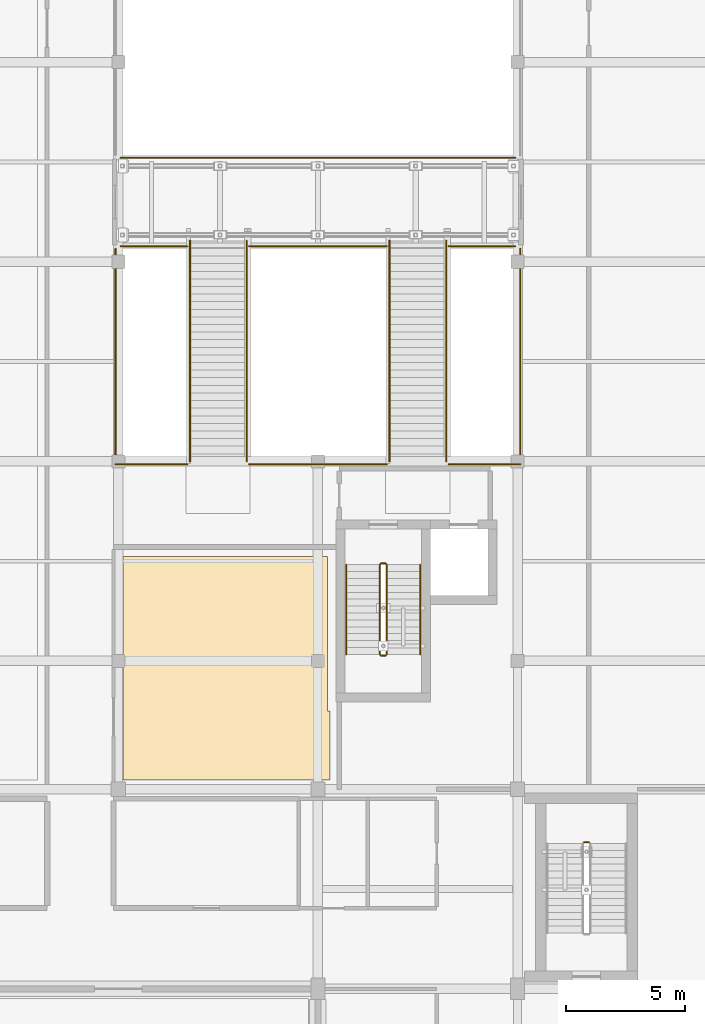
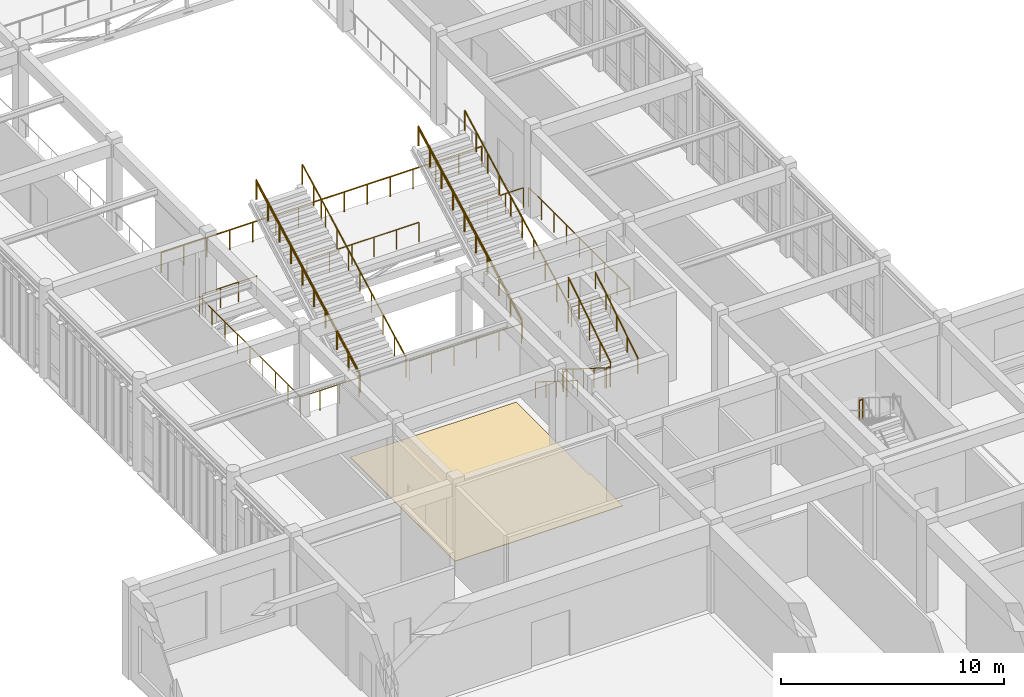
# One storey, part 87 of 93: 22 railings, 1 covering.
"""IFC4 building model written with IfcOpenShell, lengths in metres."""

from ifc_helpers import new_model, si_unit, direction, frame, origin, origin_2d, place, context, subcontext, project, spatial, polyline, circle, outline, extrude, material, layer, layer_set, type_object, element, save


model = new_model("IFC4")

# Units and contexts
model_context = context("Model", 3, precision=1e-05, world=origin(), true_north=direction((0.0, 1.0)))
body_context = subcontext(model_context, "Body", "Model", "MODEL_VIEW")
ifc_project = project(units=[si_unit("LENGTHUNIT", "METRE"), si_unit("AREAUNIT", "SQUARE_METRE"), si_unit("VOLUMEUNIT", "CUBIC_METRE"), si_unit("PLANEANGLEUNIT", "RADIAN"), si_unit("MASSUNIT", "GRAM", prefix="KILO")], contexts=[model_context])

# Site, building, storey
site_placement = place(None, origin())
site = spatial("IfcSite", under=ifc_project, at=site_placement, CompositionType="ELEMENT")
building_placement = place(site_placement, origin())
building = spatial("IfcBuilding", under=site, at=building_placement, Name="Krzemoval Escarpment Law Courts", CompositionType="ELEMENT")
storey_placement = place(building_placement, frame((0.0, 0.0, 10.199951171875)))
storey = spatial("IfcBuildingStorey", under=building, at=storey_placement, Name="L02", CompositionType="ELEMENT", Elevation=10.199951171875)

# Covering
ifc_material_1 = material(Name="Honed Silesian Granite Stone Flooring", Category="masonry")
ifc_layer = layer(ifc_material_1, 0.030029296875)
ifc_layer_set = layer_set([ifc_layer], Name="Honed Silesian Granite Stone Flooring")
covering_type = type_object("IfcCoveringType", Name="COV-FLR-STN30", PredefinedType="FLOORING", material=ifc_layer_set)
covering_placement = place(storey_placement, origin())
element("IfcCovering", 1, at=covering_placement, inside=storey, type_object=covering_type, Name="Stone Floor Finish FLR-L02-28", PredefinedType="FLOORING", context=body_context, shape_type="SweptSolid", body=[
    extrude(outline(polyline([(25.699951171875, 35.800048828125), (17.0, 35.800048828125), (17.0, 45.199951171875), (25.60009765625, 45.199951171875), (25.60009765625, 38.699951171875), (25.699951171875, 38.699951171875), (25.699951171875, 35.800048828125)])), origin(), (0.0, 0.0, 1.0), 0.030029296875),
])

# Railings
ifc_material_2 = material(Name="Stainless Steel Grade 316L and Laminated Safety Glass Guard", Category="steel")
railing_type_1 = type_object("IfcRailingType", Name="RL-BAL-1100", PredefinedType="BALUSTRADE", material=ifc_material_2)
railing_1_placement = place(storey_placement, frame((16.679931640625, 49.080078125, 0.0)))
element("IfcRailing", 2, at=railing_1_placement, inside=storey, type_object=railing_type_1, Name="Atrium Void Balustrade VG-L02-064", PredefinedType="BALUSTRADE", context=body_context, shape_type="SweptSolid", body=[
    extrude(circle(Radius=0.02392578125, at=origin_2d()), frame((0.0, 0.0, 1.076171875), z_axis=(1.0, 0.0, 0.0), x_axis=(0.0, 1.0, 0.0)), (0.0, 0.0, 1.0), 3.02001953125),
    extrude(circle(Radius=0.02099609375, at=origin_2d()), origin(), (0.0, 0.0, 1.0), 1.052001953125),
    extrude(circle(Radius=0.02099609375, at=origin_2d()), frame((1.006591796875, 0.0, 0.0)), (0.0, 0.0, 1.0), 1.052001953125),
    extrude(circle(Radius=0.02099609375, at=origin_2d()), frame((2.013427734375, 0.0, 0.0)), (0.0, 0.0, 1.0), 1.052001953125),
    extrude(circle(Radius=0.02099609375, at=origin_2d()), frame((3.02001953125, 0.0, 0.0)), (0.0, 0.0, 1.0), 1.052001953125),
])
railing_2_placement = place(storey_placement, frame((22.300048828125, 49.080078125, 0.0)))
element("IfcRailing", 3, at=railing_2_placement, inside=storey, type_object=railing_type_1, Name="Atrium Void Balustrade VG-L02-065", PredefinedType="BALUSTRADE", context=body_context, shape_type="SweptSolid", body=[
    extrude(circle(Radius=0.02392578125, at=origin_2d()), frame((0.0, 0.0, 1.076171875), z_axis=(1.0, 0.0, 0.0), x_axis=(0.0, 1.0, 0.0)), (0.0, 0.0, 1.0), 5.800048828125),
    extrude(circle(Radius=0.02099609375, at=origin_2d()), origin(), (0.0, 0.0, 1.0), 1.052001953125),
    extrude(circle(Radius=0.02099609375, at=origin_2d()), frame((1.159912109375, 0.0, 0.0)), (0.0, 0.0, 1.0), 1.052001953125),
    extrude(circle(Radius=0.02099609375, at=origin_2d()), frame((2.320068359375, 0.0, 0.0)), (0.0, 0.0, 1.0), 1.052001953125),
    extrude(circle(Radius=0.02099609375, at=origin_2d()), frame((3.47998046875, 0.0, 0.0)), (0.0, 0.0, 1.0), 1.052001953125),
    extrude(circle(Radius=0.02099609375, at=origin_2d()), frame((4.64013671875, 0.0, 0.0)), (0.0, 0.0, 1.0), 1.052001953125),
    extrude(circle(Radius=0.02099609375, at=origin_2d()), frame((5.800048828125, 0.0, 0.0)), (0.0, 0.0, 1.0), 1.052001953125),
])
railing_3_placement = place(storey_placement, frame((30.699951171875, 49.080078125, 0.0)))
element("IfcRailing", 4, at=railing_3_placement, inside=storey, type_object=railing_type_1, Name="Atrium Void Balustrade VG-L02-066", PredefinedType="BALUSTRADE", context=body_context, shape_type="SweptSolid", body=[
    extrude(circle(Radius=0.02392578125, at=origin_2d()), frame((0.0, 0.0, 1.076171875), z_axis=(1.0, 0.0, 0.0), x_axis=(0.0, 1.0, 0.0)), (0.0, 0.0, 1.0), 3.02001953125),
    extrude(circle(Radius=0.02099609375, at=origin_2d()), origin(), (0.0, 0.0, 1.0), 1.052001953125),
    extrude(circle(Radius=0.02099609375, at=origin_2d()), frame((1.006591796875, 0.0, 0.0)), (0.0, 0.0, 1.0), 1.052001953125),
    extrude(circle(Radius=0.02099609375, at=origin_2d()), frame((2.013427734375, 0.0, 0.0)), (0.0, 0.0, 1.0), 1.052001953125),
    extrude(circle(Radius=0.02099609375, at=origin_2d()), frame((3.02001953125, 0.0, 0.0)), (0.0, 0.0, 1.0), 1.052001953125),
])
for number, where, name in (
    (5, (16.679931640625, 49.080078125, 0.0), "Atrium Void Balustrade VG-L02-070"),
    (6, (33.719970703125, 49.080078125, 0.0), "Atrium Void Balustrade VG-L02-073"),
):
    element("IfcRailing", number, at=place(storey_placement, frame(where)), inside=storey, type_object=railing_type_1, Name=name, PredefinedType="BALUSTRADE", context=body_context, shape_type="SweptSolid", body=[
        extrude(circle(Radius=0.02392578125, at=origin_2d()), frame((0.0, 0.0, 1.076171875), z_axis=(0.0, 1.0, 0.0), x_axis=(-1.0, 0.0, 0.0)), (0.0, 0.0, 1.0), 9.06982421875),
        extrude(circle(Radius=0.02099609375, at=origin_2d()), origin(), (0.0, 0.0, 1.0), 1.052001953125),
        extrude(circle(Radius=0.02099609375, at=origin_2d()), frame((0.0, 1.1337890625, 0.0)), (0.0, 0.0, 1.0), 1.052001953125),
        extrude(circle(Radius=0.02099609375, at=origin_2d()), frame((0.0, 2.267578125, 0.0)), (0.0, 0.0, 1.0), 1.052001953125),
        extrude(circle(Radius=0.02099609375, at=origin_2d()), frame((0.0, 3.401123046875, 0.0)), (0.0, 0.0, 1.0), 1.052001953125),
        extrude(circle(Radius=0.02099609375, at=origin_2d()), frame((0.0, 4.534912109375, 0.0)), (0.0, 0.0, 1.0), 1.052001953125),
        extrude(circle(Radius=0.02099609375, at=origin_2d()), frame((0.0, 5.668701171875, 0.0)), (0.0, 0.0, 1.0), 1.052001953125),
        extrude(circle(Radius=0.02099609375, at=origin_2d()), frame((0.0, 6.80224609375, 0.0)), (0.0, 0.0, 1.0), 1.052001953125),
        extrude(circle(Radius=0.02099609375, at=origin_2d()), frame((0.0, 7.93603515625, 0.0)), (0.0, 0.0, 1.0), 1.052001953125),
        extrude(circle(Radius=0.02099609375, at=origin_2d()), frame((0.0, 9.06982421875, 0.0)), (0.0, 0.0, 1.0), 1.052001953125),
    ])
railing_4_placement = place(storey_placement, frame((16.89990234375, 58.25, 0.0)))
element("IfcRailing", 7, at=railing_4_placement, inside=storey, type_object=railing_type_1, Name="Sky-Bridge South Guardrail BG-L02-098", PredefinedType="BALUSTRADE", context=body_context, shape_type="SweptSolid", body=[
    extrude(circle(Radius=0.02392578125, at=origin_2d()), frame((0.0, 0.0, 1.076171875), z_axis=(1.0, 0.0, 0.0), x_axis=(0.0, 1.0, 0.0)), (0.0, 0.0, 1.0), 2.800048828125),
    extrude(circle(Radius=0.02099609375, at=origin_2d()), origin(), (0.0, 0.0, 1.0), 1.052001953125),
    extrude(circle(Radius=0.02099609375, at=origin_2d()), frame((0.933349609375, 0.0, 0.0)), (0.0, 0.0, 1.0), 1.052001953125),
    extrude(circle(Radius=0.02099609375, at=origin_2d()), frame((1.86669921875, 0.0, 0.0)), (0.0, 0.0, 1.0), 1.052001953125),
    extrude(circle(Radius=0.02099609375, at=origin_2d()), frame((2.800048828125, 0.0, 0.0)), (0.0, 0.0, 1.0), 1.052001953125),
])
railing_5_placement = place(storey_placement, frame((22.300048828125, 58.25, 0.0)))
element("IfcRailing", 8, at=railing_5_placement, inside=storey, type_object=railing_type_1, Name="Sky-Bridge South Guardrail BG-L02-099", PredefinedType="BALUSTRADE", context=body_context, shape_type="SweptSolid", body=[
    extrude(circle(Radius=0.02392578125, at=origin_2d()), frame((0.0, 0.0, 1.076171875), z_axis=(1.0, 0.0, 0.0), x_axis=(0.0, 1.0, 0.0)), (0.0, 0.0, 1.0), 5.800048828125),
    extrude(circle(Radius=0.02099609375, at=origin_2d()), origin(), (0.0, 0.0, 1.0), 1.052001953125),
    extrude(circle(Radius=0.02099609375, at=origin_2d()), frame((1.159912109375, 0.0, 0.0)), (0.0, 0.0, 1.0), 1.052001953125),
    extrude(circle(Radius=0.02099609375, at=origin_2d()), frame((2.320068359375, 0.0, 0.0)), (0.0, 0.0, 1.0), 1.052001953125),
    extrude(circle(Radius=0.02099609375, at=origin_2d()), frame((3.47998046875, 0.0, 0.0)), (0.0, 0.0, 1.0), 1.052001953125),
    extrude(circle(Radius=0.02099609375, at=origin_2d()), frame((4.64013671875, 0.0, 0.0)), (0.0, 0.0, 1.0), 1.052001953125),
    extrude(circle(Radius=0.02099609375, at=origin_2d()), frame((5.800048828125, 0.0, 0.0)), (0.0, 0.0, 1.0), 1.052001953125),
])
railing_6_placement = place(storey_placement, frame((30.699951171875, 58.25, 0.0)))
element("IfcRailing", 9, at=railing_6_placement, inside=storey, type_object=railing_type_1, Name="Sky-Bridge South Guardrail BG-L02-100", PredefinedType="BALUSTRADE", context=body_context, shape_type="SweptSolid", body=[
    extrude(circle(Radius=0.02392578125, at=origin_2d()), frame((0.0, 0.0, 1.076171875), z_axis=(1.0, 0.0, 0.0), x_axis=(0.0, 1.0, 0.0)), (0.0, 0.0, 1.0), 2.800048828125),
    extrude(circle(Radius=0.02099609375, at=origin_2d()), origin(), (0.0, 0.0, 1.0), 1.052001953125),
    extrude(circle(Radius=0.02099609375, at=origin_2d()), frame((0.933349609375, 0.0, 0.0)), (0.0, 0.0, 1.0), 1.052001953125),
    extrude(circle(Radius=0.02099609375, at=origin_2d()), frame((1.86669921875, 0.0, 0.0)), (0.0, 0.0, 1.0), 1.052001953125),
    extrude(circle(Radius=0.02099609375, at=origin_2d()), frame((2.800048828125, 0.0, 0.0)), (0.0, 0.0, 1.0), 1.052001953125),
])
railing_7_placement = place(storey_placement, frame((16.89990234375, 61.97998046875, 0.0)))
element("IfcRailing", 10, at=railing_7_placement, inside=storey, type_object=railing_type_1, Name="Sky-Bridge North Guardrail BG-L02-101", PredefinedType="BALUSTRADE", context=body_context, shape_type="SweptSolid", body=[
    extrude(circle(Radius=0.02392578125, at=origin_2d()), frame((0.0, 0.0, 1.076171875), z_axis=(1.0, 0.0, 0.0), x_axis=(0.0, 1.0, 0.0)), (0.0, 0.0, 1.0), 16.60009765625),
    extrude(circle(Radius=0.02099609375, at=origin_2d()), origin(), (0.0, 0.0, 1.0), 1.052001953125),
    extrude(circle(Radius=0.02099609375, at=origin_2d()), frame((1.185791015625, 0.0, 0.0)), (0.0, 0.0, 1.0), 1.052001953125),
    extrude(circle(Radius=0.02099609375, at=origin_2d()), frame((2.371337890625, 0.0, 0.0)), (0.0, 0.0, 1.0), 1.052001953125),
    extrude(circle(Radius=0.02099609375, at=origin_2d()), frame((3.55712890625, 0.0, 0.0)), (0.0, 0.0, 1.0), 1.052001953125),
    extrude(circle(Radius=0.02099609375, at=origin_2d()), frame((4.742919921875, 0.0, 0.0)), (0.0, 0.0, 1.0), 1.052001953125),
    extrude(circle(Radius=0.02099609375, at=origin_2d()), frame((5.9287109375, 0.0, 0.0)), (0.0, 0.0, 1.0), 1.052001953125),
    extrude(circle(Radius=0.02099609375, at=origin_2d()), frame((7.1142578125, 0.0, 0.0)), (0.0, 0.0, 1.0), 1.052001953125),
    extrude(circle(Radius=0.02099609375, at=origin_2d()), frame((8.300048828125, 0.0, 0.0)), (0.0, 0.0, 1.0), 1.052001953125),
    extrude(circle(Radius=0.02099609375, at=origin_2d()), frame((9.48583984375, 0.0, 0.0)), (0.0, 0.0, 1.0), 1.052001953125),
    extrude(circle(Radius=0.02099609375, at=origin_2d()), frame((10.67138671875, 0.0, 0.0)), (0.0, 0.0, 1.0), 1.052001953125),
    extrude(circle(Radius=0.02099609375, at=origin_2d()), frame((11.857177734375, 0.0, 0.0)), (0.0, 0.0, 1.0), 1.052001953125),
    extrude(circle(Radius=0.02099609375, at=origin_2d()), frame((13.04296875, 0.0, 0.0)), (0.0, 0.0, 1.0), 1.052001953125),
    extrude(circle(Radius=0.02099609375, at=origin_2d()), frame((14.228759765625, 0.0, 0.0)), (0.0, 0.0, 1.0), 1.052001953125),
    extrude(circle(Radius=0.02099609375, at=origin_2d()), frame((15.414306640625, 0.0, 0.0)), (0.0, 0.0, 1.0), 1.052001953125),
    extrude(circle(Radius=0.02099609375, at=origin_2d()), frame((16.60009765625, 0.0, 0.0)), (0.0, 0.0, 1.0), 1.052001953125),
])
for number, where, name in (
    (11, (19.800048828125, 49.199951171875, 0.170166015625), "Feature Stair Guard ST7-L02 L"),
    (12, (22.199951171875, 49.199951171875, 0.170166015625), "Feature Stair Guard ST7-L02 R"),
    (13, (28.199951171875, 49.199951171875, 0.170166015625), "Feature Stair Guard ST8-L02 L"),
    (14, (30.60009765625, 49.199951171875, 0.170166015625), "Feature Stair Guard ST8-L02 R"),
):
    element("IfcRailing", number, at=place(storey_placement, frame(where)), inside=storey, type_object=railing_type_1, Name=name, PredefinedType="BALUSTRADE", context=body_context, shape_type="SweptSolid", body=[
        extrude(circle(Radius=0.02392578125, at=origin_2d()), frame((0.0, 0.0, 1.076171875), z_axis=(0.0, 0.88311902836, 0.469148997387), x_axis=(-1.0, 0.0, 0.0)), (0.0, 0.0, 1.0), 10.50830078125),
        extrude(circle(Radius=0.02099609375, at=origin_2d()), origin(), (0.0, 0.0, 1.0), 1.052001953125),
        extrude(circle(Radius=0.02099609375, at=origin_2d()), frame((0.0, 1.031005859375, 0.5478515625)), (0.0, 0.0, 1.0), 1.052001953125),
        extrude(circle(Radius=0.02099609375, at=origin_2d()), frame((0.0, 2.062255859375, 1.095458984375)), (0.0, 0.0, 1.0), 1.052001953125),
        extrude(circle(Radius=0.02099609375, at=origin_2d()), frame((0.0, 3.09326171875, 1.643310546875)), (0.0, 0.0, 1.0), 1.052001953125),
        extrude(circle(Radius=0.02099609375, at=origin_2d()), frame((0.0, 4.12451171875, 2.191162109375)), (0.0, 0.0, 1.0), 1.052001953125),
        extrude(circle(Radius=0.02099609375, at=origin_2d()), frame((0.0, 5.155517578125, 2.73876953125)), (0.0, 0.0, 1.0), 1.052001953125),
        extrude(circle(Radius=0.02099609375, at=origin_2d()), frame((0.0, 6.186767578125, 3.28662109375)), (0.0, 0.0, 1.0), 1.052001953125),
        extrude(circle(Radius=0.02099609375, at=origin_2d()), frame((0.0, 7.2177734375, 3.83447265625)), (0.0, 0.0, 1.0), 1.052001953125),
        extrude(circle(Radius=0.02099609375, at=origin_2d()), frame((0.0, 8.2490234375, 4.382080078125)), (0.0, 0.0, 1.0), 1.052001953125),
        extrude(circle(Radius=0.02099609375, at=origin_2d()), frame((0.0, 9.280029296875, 4.929931640625)), (0.0, 0.0, 1.0), 1.052001953125),
    ])
ifc_material_3 = material(Name="Galvanised Steel S355", Category="steel")
railing_type_2 = type_object("IfcRailingType", Name="RL-GRD-1100", PredefinedType="GUARDRAIL", material=ifc_material_3)
railing_8_placement = place(storey_placement, frame((27.800048828125, 44.85009765625, 0.18212890625)))
element("IfcRailing", 15, at=railing_8_placement, inside=storey, type_object=railing_type_2, Name="L02 ST5 stair guard 1", PredefinedType="GUARDRAIL", context=body_context, shape_type="SweptSolid", body=[
    extrude(circle(Radius=0.02392578125, at=origin_2d()), frame((0.0, 0.0, 1.076171875), z_axis=(0.0, -0.846819337722, 0.53188063441), x_axis=(1.0, 0.0, 0.0)), (0.0, 0.0, 1.0), 4.451904296875),
    extrude(circle(Radius=0.02099609375, at=origin_2d()), origin(), (0.0, 0.0, 1.0), 1.052001953125),
    extrude(circle(Radius=0.02099609375, at=origin_2d()), frame((0.0, -0.9423828125, 0.592041015625)), (0.0, 0.0, 1.0), 1.052001953125),
    extrude(circle(Radius=0.02099609375, at=origin_2d()), frame((0.0, -1.885009765625, 1.18408203125)), (0.0, 0.0, 1.0), 1.052001953125),
    extrude(circle(Radius=0.02099609375, at=origin_2d()), frame((0.0, -2.82763671875, 1.77587890625)), (0.0, 0.0, 1.0), 1.052001953125),
    extrude(circle(Radius=0.02099609375, at=origin_2d()), frame((0.0, -3.77001953125, 2.367919921875)), (0.0, 0.0, 1.0), 1.052001953125),
])
railing_9_placement = place(storey_placement, frame((27.85009765625, 41.030029296875, 2.550048828125)))
element("IfcRailing", 16, at=railing_9_placement, inside=storey, type_object=railing_type_2, Name="L02 ST5 stair guard 2", PredefinedType="GUARDRAIL", context=body_context, shape_type="SweptSolid", body=[
    extrude(circle(Radius=0.02392578125, at=origin_2d()), frame((0.0, 0.0, 1.076171875), z_axis=(1.0, 0.0, 0.0), x_axis=(0.0, 1.0, 0.0)), (0.0, 0.0, 1.0), 0.199951171875),
    extrude(circle(Radius=0.02099609375, at=origin_2d()), origin(), (0.0, 0.0, 1.0), 1.052001953125),
    extrude(circle(Radius=0.02099609375, at=origin_2d()), frame((0.199951171875, 0.0, 0.0)), (0.0, 0.0, 1.0), 1.052001953125),
])
railing_10_placement = place(storey_placement, frame((28.10009765625, 41.080078125, 2.732177734375)))
element("IfcRailing", 17, at=railing_10_placement, inside=storey, type_object=railing_type_2, Name="L02 ST5 stair guard 3", PredefinedType="GUARDRAIL", context=body_context, shape_type="SweptSolid", body=[
    extrude(circle(Radius=0.02392578125, at=origin_2d()), frame((0.0, 0.0, 1.076171875), z_axis=(0.0, 0.846819337722, 0.53188063441), x_axis=(-1.0, 0.0, 0.0)), (0.0, 0.0, 1.0), 4.451904296875),
    extrude(circle(Radius=0.02099609375, at=origin_2d()), origin(), (0.0, 0.0, 1.0), 1.052001953125),
    extrude(circle(Radius=0.02099609375, at=origin_2d()), frame((0.0, 0.9423828125, 0.592041015625)), (0.0, 0.0, 1.0), 1.052001953125),
    extrude(circle(Radius=0.02099609375, at=origin_2d()), frame((0.0, 1.885009765625, 1.18408203125)), (0.0, 0.0, 1.0), 1.052001953125),
    extrude(circle(Radius=0.02099609375, at=origin_2d()), frame((0.0, 2.82763671875, 1.77587890625)), (0.0, 0.0, 1.0), 1.052001953125),
    extrude(circle(Radius=0.02099609375, at=origin_2d()), frame((0.0, 3.77001953125, 2.367919921875)), (0.0, 0.0, 1.0), 1.052001953125),
])
railing_11_placement = place(storey_placement, frame((27.85009765625, 44.89990234375, 0.0)))
element("IfcRailing", 18, at=railing_11_placement, inside=storey, type_object=railing_type_2, Name="L02 ST5 stair guard 4", PredefinedType="GUARDRAIL", context=body_context, shape_type="SweptSolid", body=[
    extrude(circle(Radius=0.02392578125, at=origin_2d()), frame((0.0, 0.0, 1.076171875), z_axis=(1.0, 0.0, 0.0), x_axis=(0.0, 1.0, 0.0)), (0.0, 0.0, 1.0), 0.199951171875),
    extrude(circle(Radius=0.02099609375, at=origin_2d()), origin(), (0.0, 0.0, 1.0), 1.052001953125),
    extrude(circle(Radius=0.02099609375, at=origin_2d()), frame((0.199951171875, 0.0, 0.0)), (0.0, 0.0, 1.0), 1.052001953125),
])
railing_12_placement = place(storey_placement, frame((36.60009765625, 33.169921875, 2.550048828125)))
element("IfcRailing", 19, at=railing_12_placement, inside=storey, type_object=railing_type_2, Name="L02 ST9 stair guard 2", PredefinedType="GUARDRAIL", context=body_context, shape_type="SweptSolid", body=[
    extrude(circle(Radius=0.02392578125, at=origin_2d()), frame((0.0, 0.0, 1.076171875), z_axis=(-1.0, 0.0, 0.0), x_axis=(0.0, -1.0, 0.0)), (0.0, 0.0, 1.0), 0.2001953125),
    extrude(circle(Radius=0.02099609375, at=origin_2d()), origin(), (0.0, 0.0, 1.0), 1.052001953125),
    extrude(circle(Radius=0.02099609375, at=origin_2d()), frame((-0.2001953125, 0.0, 0.0)), (0.0, 0.0, 1.0), 1.052001953125),
])
ifc_material_4 = material(Name="Brushed Stainless Steel Grade 304 Handrail", Category="steel")
railing_type_3 = type_object("IfcRailingType", Name="RL-HND-900", PredefinedType="HANDRAIL", material=ifc_material_4)
railing_13_placement = place(storey_placement, frame((26.39990234375, 44.85009765625, 0.18212890625)))
element("IfcRailing", 20, at=railing_13_placement, inside=storey, type_object=railing_type_3, Name="L02 ST5 stair handrail 1", PredefinedType="HANDRAIL", context=body_context, shape_type="SweptSolid", body=[
    extrude(circle(Radius=0.02392578125, at=origin_2d()), frame((0.0, 0.0, 0.8759765625), z_axis=(0.0, -0.846819337722, 0.53188063441), x_axis=(1.0, 0.0, 0.0)), (0.0, 0.0, 1.0), 4.451904296875),
    extrude(circle(Radius=0.02099609375, at=origin_2d()), origin(), (0.0, 0.0, 1.0), 0.851806640625),
    extrude(circle(Radius=0.02099609375, at=origin_2d()), frame((0.0, -0.9423828125, 0.592041015625)), (0.0, 0.0, 1.0), 0.851806640625),
    extrude(circle(Radius=0.02099609375, at=origin_2d()), frame((0.0, -1.885009765625, 1.18408203125)), (0.0, 0.0, 1.0), 0.851806640625),
    extrude(circle(Radius=0.02099609375, at=origin_2d()), frame((0.0, -2.82763671875, 1.77587890625)), (0.0, 0.0, 1.0), 0.851806640625),
    extrude(circle(Radius=0.02099609375, at=origin_2d()), frame((0.0, -3.77001953125, 2.367919921875)), (0.0, 0.0, 1.0), 0.851806640625),
])
railing_14_placement = place(storey_placement, frame((29.5, 41.080078125, 2.732177734375)))
element("IfcRailing", 21, at=railing_14_placement, inside=storey, type_object=railing_type_3, Name="L02 ST5 stair handrail 2", PredefinedType="HANDRAIL", context=body_context, shape_type="SweptSolid", body=[
    extrude(circle(Radius=0.02392578125, at=origin_2d()), frame((0.0, 0.0, 0.8759765625), z_axis=(0.0, 0.846819337722, 0.53188063441), x_axis=(-1.0, 0.0, 0.0)), (0.0, 0.0, 1.0), 4.451904296875),
    extrude(circle(Radius=0.02099609375, at=origin_2d()), origin(), (0.0, 0.0, 1.0), 0.851806640625),
    extrude(circle(Radius=0.02099609375, at=origin_2d()), frame((0.0, 0.9423828125, 0.592041015625)), (0.0, 0.0, 1.0), 0.851806640625),
    extrude(circle(Radius=0.02099609375, at=origin_2d()), frame((0.0, 1.885009765625, 1.18408203125)), (0.0, 0.0, 1.0), 0.851806640625),
    extrude(circle(Radius=0.02099609375, at=origin_2d()), frame((0.0, 2.82763671875, 1.77587890625)), (0.0, 0.0, 1.0), 0.851806640625),
    extrude(circle(Radius=0.02099609375, at=origin_2d()), frame((0.0, 3.77001953125, 2.367919921875)), (0.0, 0.0, 1.0), 0.851806640625),
])
for number, where, name in (
    (22, (19.830078125, 49.199951171875, 0.170166015625), "Feature Stair Handrail ST7-L02"),
    (23, (28.22998046875, 49.199951171875, 0.170166015625), "Feature Stair Handrail ST8-L02"),
):
    element("IfcRailing", number, at=place(storey_placement, frame(where)), inside=storey, type_object=railing_type_3, Name=name, PredefinedType="HANDRAIL", context=body_context, shape_type="SweptSolid", body=[
        extrude(circle(Radius=0.02392578125, at=origin_2d()), frame((0.0, 0.0, 0.8759765625), z_axis=(0.0, 0.88311902836, 0.469148997387), x_axis=(-1.0, 0.0, 0.0)), (0.0, 0.0, 1.0), 10.50830078125),
        extrude(circle(Radius=0.02099609375, at=origin_2d()), origin(), (0.0, 0.0, 1.0), 0.851806640625),
        extrude(circle(Radius=0.02099609375, at=origin_2d()), frame((0.0, 1.031005859375, 0.5478515625)), (0.0, 0.0, 1.0), 0.851806640625),
        extrude(circle(Radius=0.02099609375, at=origin_2d()), frame((0.0, 2.062255859375, 1.095458984375)), (0.0, 0.0, 1.0), 0.851806640625),
        extrude(circle(Radius=0.02099609375, at=origin_2d()), frame((0.0, 3.09326171875, 1.643310546875)), (0.0, 0.0, 1.0), 0.851806640625),
        extrude(circle(Radius=0.02099609375, at=origin_2d()), frame((0.0, 4.12451171875, 2.191162109375)), (0.0, 0.0, 1.0), 0.851806640625),
        extrude(circle(Radius=0.02099609375, at=origin_2d()), frame((0.0, 5.155517578125, 2.73876953125)), (0.0, 0.0, 1.0), 0.851806640625),
        extrude(circle(Radius=0.02099609375, at=origin_2d()), frame((0.0, 6.186767578125, 3.28662109375)), (0.0, 0.0, 1.0), 0.851806640625),
        extrude(circle(Radius=0.02099609375, at=origin_2d()), frame((0.0, 7.2177734375, 3.83447265625)), (0.0, 0.0, 1.0), 0.851806640625),
        extrude(circle(Radius=0.02099609375, at=origin_2d()), frame((0.0, 8.2490234375, 4.382080078125)), (0.0, 0.0, 1.0), 0.851806640625),
        extrude(circle(Radius=0.02099609375, at=origin_2d()), frame((0.0, 9.280029296875, 4.929931640625)), (0.0, 0.0, 1.0), 0.851806640625),
    ])

save(model, "model.ifc")
